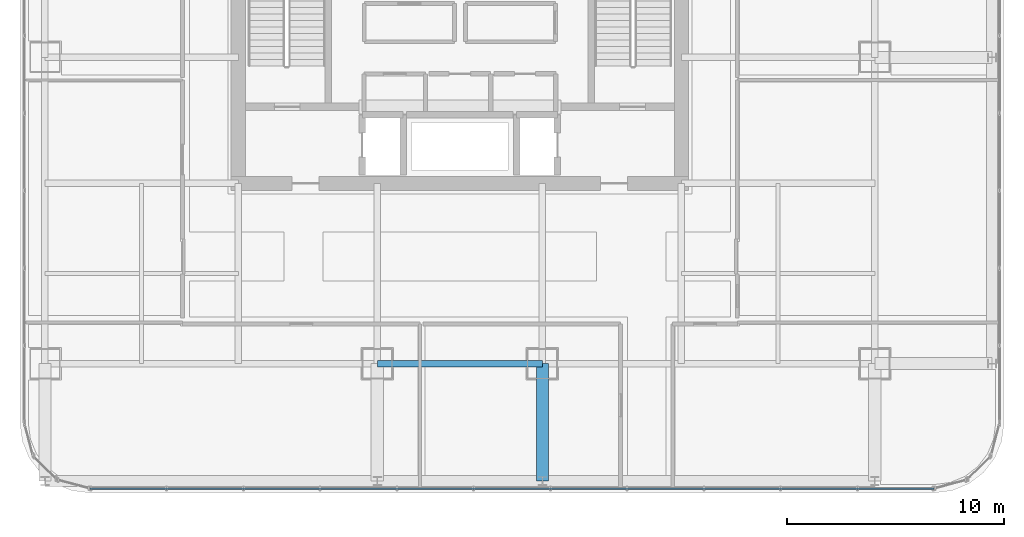
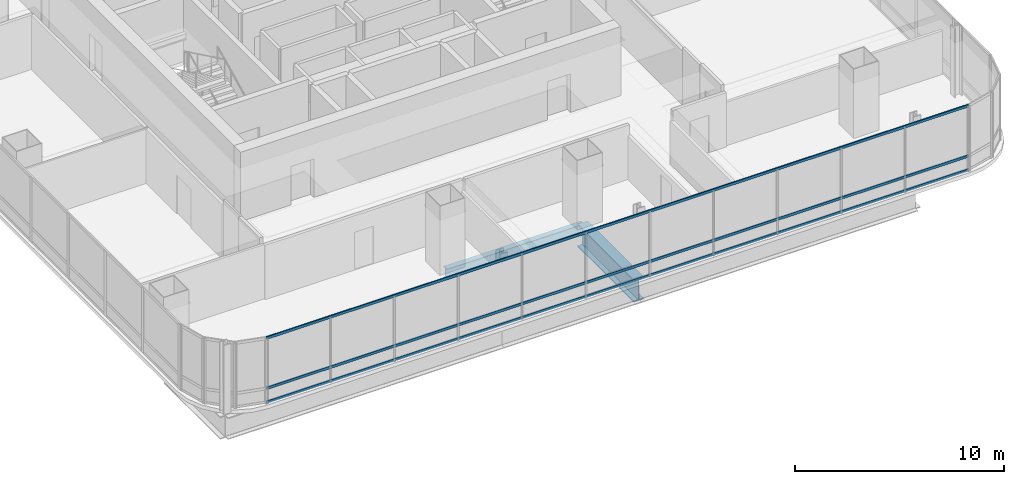
# One storey, part 6 of 36: 3 members, 2 beams, 1 element without a shape of its own.
"""IFC4 building model written with IfcOpenShell, lengths in metres."""

from ifc_helpers import new_model, si_unit, direction, frame, origin, origin_2d, place, context, subcontext, project, spatial, hollow_rectangle, i_section, extrude, material, material_profile, profile_set, type_object, element, aggregate, save


model = new_model("IFC4")

# Units and contexts
model_context = context("Model", 3, precision=1e-05, world=origin(), true_north=direction((0.0, 1.0)))
body_context = subcontext(model_context, "Body", "Model", "MODEL_VIEW")
ifc_project = project(units=[si_unit("LENGTHUNIT", "METRE"), si_unit("AREAUNIT", "SQUARE_METRE"), si_unit("VOLUMEUNIT", "CUBIC_METRE"), si_unit("PLANEANGLEUNIT", "RADIAN"), si_unit("MASSUNIT", "GRAM", prefix="KILO")], contexts=[model_context])

# Site, building, storey
site_placement = place(None, origin())
site = spatial("IfcSite", under=ifc_project, at=site_placement, CompositionType="ELEMENT")
building_placement = place(site_placement, origin())
building = spatial("IfcBuilding", under=site, at=building_placement, Name="Punatoya Terracotta Tower", CompositionType="ELEMENT")
storey_placement = place(building_placement, frame((0.0, 0.0, 208.64990234375)))
storey = spatial("IfcBuildingStorey", under=building, at=storey_placement, Name="L49", CompositionType="ELEMENT", Elevation=208.64990234375)

# Beams
ifc_material_1 = material(Name="Steel S355", Category="steel")
ifc_material_profile_1 = material_profile(ifc_material_1, i_section(OverallWidth=0.300048828125, OverallDepth=0.64990234375, WebThickness=0.01611328125, FlangeThickness=0.031005859375, FilletRadius=0.01806640625, at=origin_2d()))
ifc_profile_set_1 = profile_set([ifc_material_profile_1], Name="Steel S355")
beam_type_1 = type_object("IfcBeamType", Name="BM-PRI-650", PredefinedType="BEAM", material=ifc_profile_set_1)
beam_1_placement = place(storey_placement, frame((-3.800048828125, -17.5, -0.544921875), z_axis=(1.0, 0.0, 0.0), x_axis=(0.0, 1.0, 0.0)))
element("IfcBeam", 1, at=beam_1_placement, inside=storey, type_object=beam_type_1, Name="BM-L49-RG-S2", PredefinedType="BEAM", context=body_context, shape_type="SweptSolid", body=[
    extrude(i_section(OverallWidth=0.300048828125, OverallDepth=0.64990234375, WebThickness=0.01611328125, FlangeThickness=0.031005859375, FilletRadius=0.01806640625, at=origin_2d()), origin(), (0.0, 0.0, 1.0), 7.60009765625),
])
ifc_material_2 = material(Name="Steel S460", Category="steel")
ifc_material_profile_2 = material_profile(ifc_material_2, i_section(OverallWidth=0.56005859375, OverallDepth=1.320068359375, WebThickness=0.035888671875, FlangeThickness=0.054931640625, FilletRadius=0.01806640625, at=origin_2d()))
ifc_profile_set_2 = profile_set([ifc_material_profile_2], Name="Steel S460")
beam_type_2 = type_object("IfcBeamType", Name="BM-TG-BLK", PredefinedType="BEAM", material=ifc_profile_set_2)
beam_2_placement = place(storey_placement, frame((3.800048828125, -22.89990234375, -0.8798828125), z_axis=(0.0, 1.0, 0.0), x_axis=(-1.0, 0.0, 0.0)))
element("IfcBeam", 2, at=beam_2_placement, inside=storey, type_object=beam_type_2, Name="BM-L49-CANT-S3", PredefinedType="BEAM", context=body_context, shape_type="SweptSolid", body=[
    extrude(i_section(OverallWidth=0.56005859375, OverallDepth=1.320068359375, WebThickness=0.035888671875, FlangeThickness=0.054931640625, FilletRadius=0.01806640625, at=origin_2d()), origin(), (0.0, 0.0, 1.0), 5.39990234375),
])

# Curtain wall, members
ifc_material_3 = material(Name="Aluminium 6063-T6 + Double Low-E Glass", Category="aluminium")
curtain_wall_type = type_object("IfcCurtainWallType", Name="CW-M2", PredefinedType="NOTDEFINED", material=ifc_material_3)
curtain_wall_placement = place(storey_placement, origin())
curtain_wall = element("IfcCurtainWall", 3, at=curtain_wall_placement, inside=storey, type_object=curtain_wall_type, Name="L49 Curtain Wall CW-L49-S01-1", PredefinedType="NOTDEFINED")
ifc_material_4 = material(Name="Aluminium 6063-T6", Category="aluminium")
ifc_material_profile_3 = material_profile(ifc_material_4, hollow_rectangle(XDim=0.068115234375, YDim=0.14990234375, WallThickness=0.00390625, at=origin_2d()))
ifc_profile_set_3 = profile_set([ifc_material_profile_3], Name="Aluminium 6063-T6")
member_type = type_object("IfcMemberType", Name="CW-TRN-TYP", PredefinedType="USERDEFINED", material=ifc_profile_set_3)
member_1_placement = place(storey_placement, frame((-17.036865234375, -23.25, 0.0400390625), z_axis=(1.0, 0.0, 0.0), x_axis=(0.0, 1.0, 0.0)))
member_1 = element("IfcMember", 4, at=member_1_placement, type_object=member_type, Name="CW-L49-S01-1 Transom 1", ObjectType="TRANSOM", PredefinedType="USERDEFINED", context=body_context, shape_type="SweptSolid", body=[
    extrude(hollow_rectangle(XDim=0.068115234375, YDim=0.14990234375, WallThickness=0.00390625, at=origin_2d()), origin(), (0.0, 0.0, 1.0), 38.873779296875),
])
member_2_placement = place(storey_placement, frame((-17.036865234375, -23.25, 0.85009765625), z_axis=(1.0, 0.0, 0.0), x_axis=(0.0, 1.0, 0.0)))
member_2 = element("IfcMember", 5, at=member_2_placement, type_object=member_type, Name="CW-L49-S01-1 Transom 2", ObjectType="TRANSOM", PredefinedType="USERDEFINED", context=body_context, shape_type="SweptSolid", body=[
    extrude(hollow_rectangle(XDim=0.068115234375, YDim=0.14990234375, WallThickness=0.00390625, at=origin_2d()), origin(), (0.0, 0.0, 1.0), 38.873779296875),
])
member_3_placement = place(storey_placement, frame((-17.036865234375, -23.25, 3.7900390625), z_axis=(1.0, 0.0, 0.0), x_axis=(0.0, 1.0, 0.0)))
member_3 = element("IfcMember", 6, at=member_3_placement, type_object=member_type, Name="CW-L49-S01-1 Transom 3", ObjectType="TRANSOM", PredefinedType="USERDEFINED", context=body_context, shape_type="SweptSolid", body=[
    extrude(hollow_rectangle(XDim=0.068115234375, YDim=0.14990234375, WallThickness=0.00390625, at=origin_2d()), origin(), (0.0, 0.0, 1.0), 38.873779296875),
])
aggregate(curtain_wall, [member_1, member_2, member_3])

save(model, "model.ifc")
